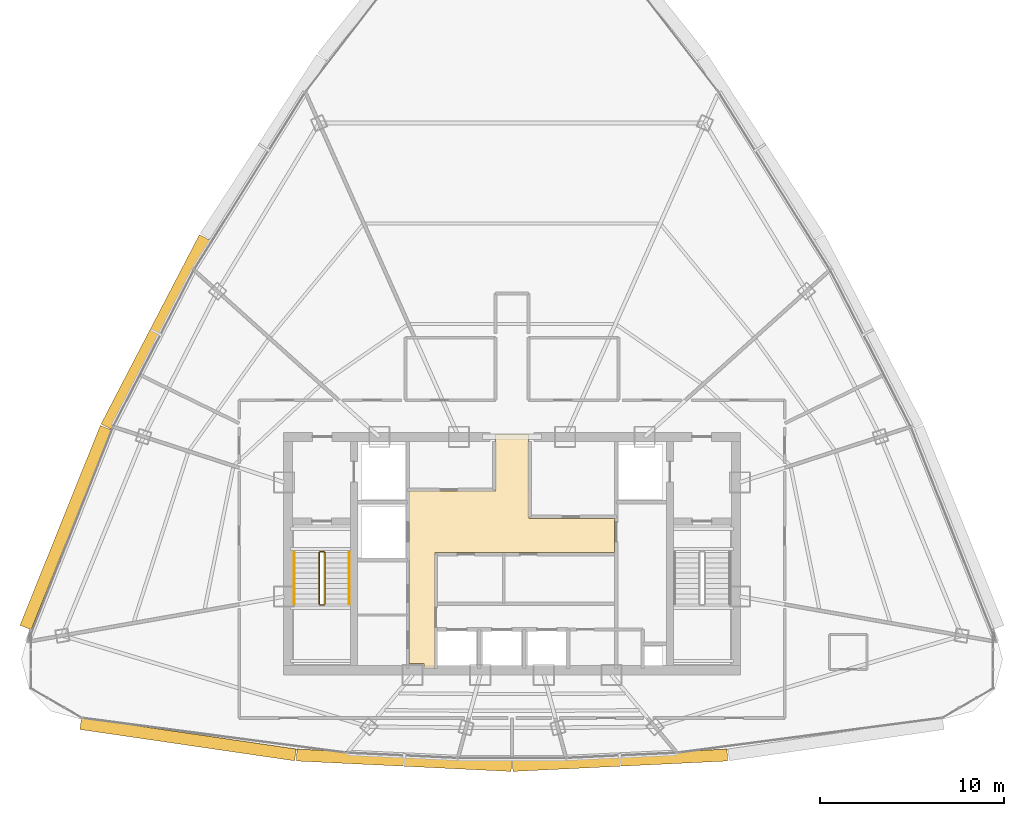
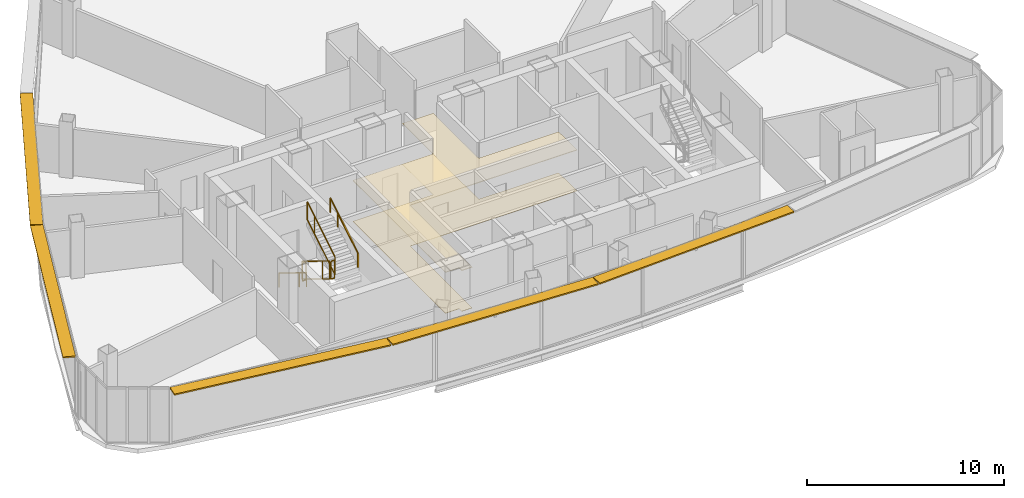
# One storey, part 27 of 29: 6 railings, 5 shading devices, 2 coverings.
"""IFC4 building model written with IfcOpenShell, lengths in metres."""

from ifc_helpers import new_model, si_unit, direction, frame, origin, origin_2d, place, context, subcontext, project, spatial, polyline, rectangle, outline, extrude, source, transform, mapped, material, layer, layer_set, type_object, element, save


model = new_model("IFC4")

# Units and contexts
model_context = context("Model", 3, precision=1e-05, world=origin(), true_north=direction((0.0, 1.0)))
body_context = subcontext(model_context, "Body", "Model", "MODEL_VIEW")
ifc_project = project(units=[si_unit("LENGTHUNIT", "METRE"), si_unit("AREAUNIT", "SQUARE_METRE"), si_unit("VOLUMEUNIT", "CUBIC_METRE"), si_unit("PLANEANGLEUNIT", "RADIAN"), si_unit("MASSUNIT", "GRAM", prefix="KILO"), si_unit("THERMODYNAMICTEMPERATUREUNIT", "KELVIN"), si_unit("POWERUNIT", "WATT")], contexts=[model_context])

# Site, building, storey
site_placement = place(None, origin())
site = spatial("IfcSite", under=ifc_project, at=site_placement, CompositionType="ELEMENT")
building_placement = place(site_placement, origin())
building = spatial("IfcBuilding", under=site, at=building_placement, Name="Yunzhuo Pagoda Commons", CompositionType="ELEMENT")
storey_placement = place(building_placement, frame((0.0, 0.0, 363.010009765625)))
storey = spatial("IfcBuildingStorey", under=building, at=storey_placement, Name="L91", CompositionType="ELEMENT", Elevation=363.010009765625)

# Coverings
ifc_material_1 = material(Name="Micro-perforated metal baffle ceiling")
ifc_layer_1 = layer(ifc_material_1, 0.034912109375)
ifc_layer_set_1 = layer_set([ifc_layer_1], Name="Micro-perforated metal baffle ceiling")
covering_type_1 = type_object("IfcCoveringType", Name="COV-CL3 Ceiling 35", PredefinedType="CEILING", material=ifc_layer_set_1)
covering_1_placement = place(storey_placement, frame((0.0, 0.0, 2.52001953125)))
element("IfcCovering", 1, at=covering_1_placement, inside=storey, type_object=covering_type_1, Name="L91 lift lobby acoustic ceiling", PredefinedType="CEILING", context=body_context, shape_type="SweptSolid", body=[
    extrude(outline(polyline([(42.39990234375, 37.25), (47.10009765625, 37.25), (47.10009765625, 40.35009765625), (48.89990234375, 40.35009765625), (48.89990234375, 37.25), (48.919921875, 37.25), (48.919921875, 35.75), (53.580078125, 35.75), (53.580078125, 33.89990234375), (43.820068359375, 33.89990234375), (43.820068359375, 27.60009765625), (43.207763671875, 27.60009765625), (43.207763671875, 27.85009765625), (43.201904296875, 27.864013671875), (43.187744140625, 27.8701171875), (42.39990234375, 27.8701171875), (42.39990234375, 33.89990234375), (42.39990234375, 37.25)])), origin(), (0.0, 0.0, 1.0), 0.034912109375),
])
ifc_material_2 = material(Name="Resilient acoustic studio flooring")
ifc_layer_2 = layer(ifc_material_2, 0.01806640625)
ifc_layer_set_2 = layer_set([ifc_layer_2], Name="Resilient acoustic studio flooring")
covering_type_2 = type_object("IfcCoveringType", Name="COV-FL3 Flooring 18", PredefinedType="FLOORING", material=ifc_layer_set_2)
covering_2_placement = place(storey_placement, origin())
element("IfcCovering", 2, at=covering_2_placement, inside=storey, type_object=covering_type_2, Name="L91 lift lobby flooring", PredefinedType="FLOORING", context=body_context, shape_type="SweptSolid", body=[
    extrude(outline(polyline([(42.39990234375, 37.25), (47.10009765625, 37.25), (47.10009765625, 40.35009765625), (48.89990234375, 40.35009765625), (48.89990234375, 37.25), (48.919921875, 37.25), (48.919921875, 35.75), (53.580078125, 35.75), (53.580078125, 33.89990234375), (43.820068359375, 33.89990234375), (43.820068359375, 27.60009765625), (43.207763671875, 27.60009765625), (43.207763671875, 27.85009765625), (43.201904296875, 27.864013671875), (43.187744140625, 27.8701171875), (42.39990234375, 27.8701171875), (42.39990234375, 33.89990234375), (42.39990234375, 37.25)])), origin(), (0.0, 0.0, 1.0), 0.01806640625),
])

# Railings
ifc_material_3 = material(Name="Anodized aluminium 6063-T6", Category="aluminium")
railing_type_1 = type_object("IfcRailingType", Name="GR-ST1 Stair Well Guardrail 1150", PredefinedType="GUARDRAIL", material=ifc_material_3)
railing_1_placement = place(storey_placement, frame((37.5, 33.89990234375, 0.17041015625)))
element("IfcRailing", 3, at=railing_1_placement, inside=storey, type_object=railing_type_1, Name="L91 ST1 stair guard 1", PredefinedType="GUARDRAIL", context=body_context, shape_type="SweptSolid", body=[
    extrude(rectangle(XDim=0.048095703125, YDim=0.048095703125, at=origin_2d()), frame((0.0, 0.0, 1.1259765625), z_axis=(0.0, -0.854149651119, 0.520027281489), x_axis=(1.0, 0.0, 0.0)), (0.0, 0.0, 1.0), 3.27783203125),
    extrude(rectangle(XDim=0.048095703125, YDim=0.048095703125, at=origin_2d()), frame((0.0, 0.0, 0.02392578125), z_axis=(0.0, -0.854149651119, 0.520027281489), x_axis=(1.0, 0.0, 0.0)), (0.0, 0.0, 1.0), 3.27783203125),
    extrude(rectangle(XDim=0.0419921875, YDim=0.0419921875, at=origin_2d()), origin(), (0.0, 0.0, 1.0), 1.101806640625),
    extrude(rectangle(XDim=0.0419921875, YDim=0.0419921875, at=origin_2d()), frame((0.0, -2.050048828125, 1.248046875)), (0.0, 0.0, 1.0), 1.101806640625),
    extrude(rectangle(XDim=0.0419921875, YDim=0.0419921875, at=origin_2d()), frame((0.0, -2.7998046875, 1.70458984375)), (0.0, 0.0, 1.0), 1.101806640625),
])
railing_2_placement = place(storey_placement, frame((37.550048828125, 31.050048828125, 1.875)))
element("IfcRailing", 4, at=railing_2_placement, inside=storey, type_object=railing_type_1, Name="L91 ST1 stair guard 2", PredefinedType="GUARDRAIL", context=body_context, shape_type="SweptSolid", body=[
    extrude(rectangle(XDim=0.048095703125, YDim=0.048095703125, at=origin_2d()), frame((0.0, 0.0, 1.1259765625), z_axis=(1.0, 0.0, 0.0), x_axis=(0.0, 1.0, 0.0)), (0.0, 0.0, 1.0), 0.199951171875),
    extrude(rectangle(XDim=0.048095703125, YDim=0.048095703125, at=origin_2d()), frame((0.0, 0.0, 0.02392578125), z_axis=(1.0, 0.0, 0.0), x_axis=(0.0, 1.0, 0.0)), (0.0, 0.0, 1.0), 0.199951171875),
    extrude(rectangle(XDim=0.0419921875, YDim=0.0419921875, at=origin_2d()), origin(), (0.0, 0.0, 1.0), 1.101806640625),
    extrude(rectangle(XDim=0.0419921875, YDim=0.0419921875, at=origin_2d()), frame((0.199951171875, 0.0, 0.0)), (0.0, 0.0, 1.0), 1.101806640625),
])
railing_3_placement = place(storey_placement, frame((37.800048828125, 31.10009765625, 2.04541015625)))
element("IfcRailing", 5, at=railing_3_placement, inside=storey, type_object=railing_type_1, Name="L91 ST1 stair guard 3", PredefinedType="GUARDRAIL", context=body_context, shape_type="SweptSolid", body=[
    extrude(rectangle(XDim=0.048095703125, YDim=0.048095703125, at=origin_2d()), frame((0.0, 0.0, 1.1259765625), z_axis=(0.0, 0.854149651119, 0.520027281489), x_axis=(-1.0, 0.0, 0.0)), (0.0, 0.0, 1.0), 3.27783203125),
    extrude(rectangle(XDim=0.048095703125, YDim=0.048095703125, at=origin_2d()), frame((0.0, 0.0, 0.02392578125), z_axis=(0.0, 0.854149651119, 0.520027281489), x_axis=(-1.0, 0.0, 0.0)), (0.0, 0.0, 1.0), 3.27783203125),
    extrude(rectangle(XDim=0.0419921875, YDim=0.0419921875, at=origin_2d()), origin(), (0.0, 0.0, 1.0), 1.101806640625),
    extrude(rectangle(XDim=0.0419921875, YDim=0.0419921875, at=origin_2d()), frame((0.0, 2.050048828125, 1.248046875)), (0.0, 0.0, 1.0), 1.101806640625),
    extrude(rectangle(XDim=0.0419921875, YDim=0.0419921875, at=origin_2d()), frame((0.0, 2.7998046875, 1.70458984375)), (0.0, 0.0, 1.0), 1.101806640625),
])
railing_4_placement = place(storey_placement, frame((37.550048828125, 33.949951171875, 0.0)))
element("IfcRailing", 6, at=railing_4_placement, inside=storey, type_object=railing_type_1, Name="L91 ST1 stair guard 4", PredefinedType="GUARDRAIL", context=body_context, shape_type="SweptSolid", body=[
    extrude(rectangle(XDim=0.048095703125, YDim=0.048095703125, at=origin_2d()), frame((0.0, 0.0, 1.1259765625), z_axis=(1.0, 0.0, 0.0), x_axis=(0.0, 1.0, 0.0)), (0.0, 0.0, 1.0), 0.199951171875),
    extrude(rectangle(XDim=0.048095703125, YDim=0.048095703125, at=origin_2d()), frame((0.0, 0.0, 0.02392578125), z_axis=(1.0, 0.0, 0.0), x_axis=(0.0, 1.0, 0.0)), (0.0, 0.0, 1.0), 0.199951171875),
    extrude(rectangle(XDim=0.0419921875, YDim=0.0419921875, at=origin_2d()), origin(), (0.0, 0.0, 1.0), 1.101806640625),
    extrude(rectangle(XDim=0.0419921875, YDim=0.0419921875, at=origin_2d()), frame((0.199951171875, 0.0, 0.0)), (0.0, 0.0, 1.0), 1.101806640625),
])
railing_type_2 = type_object("IfcRailingType", Name="HR-ST1 Stair Handrail 900", PredefinedType="HANDRAIL", material=ifc_material_3)
railing_5_placement = place(storey_placement, frame((36.14990234375, 33.89990234375, 0.17041015625)))
element("IfcRailing", 7, at=railing_5_placement, inside=storey, type_object=railing_type_2, Name="L91 ST1 stair handrail 1", PredefinedType="HANDRAIL", context=body_context, shape_type="SweptSolid", body=[
    extrude(rectangle(XDim=0.048095703125, YDim=0.048095703125, at=origin_2d()), frame((0.0, 0.0, 0.8759765625), z_axis=(0.0, -0.854149651119, 0.520027281489), x_axis=(1.0, 0.0, 0.0)), (0.0, 0.0, 1.0), 3.27783203125),
    extrude(rectangle(XDim=0.0419921875, YDim=0.0419921875, at=origin_2d()), origin(), (0.0, 0.0, 1.0), 0.851806640625),
    extrude(rectangle(XDim=0.0419921875, YDim=0.0419921875, at=origin_2d()), frame((0.0, -2.050048828125, 1.248046875)), (0.0, 0.0, 1.0), 0.851806640625),
    extrude(rectangle(XDim=0.0419921875, YDim=0.0419921875, at=origin_2d()), frame((0.0, -2.7998046875, 1.70458984375)), (0.0, 0.0, 1.0), 0.851806640625),
])
railing_6_placement = place(storey_placement, frame((39.14990234375, 31.10009765625, 2.04541015625)))
element("IfcRailing", 8, at=railing_6_placement, inside=storey, type_object=railing_type_2, Name="L91 ST1 stair handrail 2", PredefinedType="HANDRAIL", context=body_context, shape_type="SweptSolid", body=[
    extrude(rectangle(XDim=0.048095703125, YDim=0.048095703125, at=origin_2d()), frame((0.0, 0.0, 0.8759765625), z_axis=(0.0, 0.854149651119, 0.520027281489), x_axis=(-1.0, 0.0, 0.0)), (0.0, 0.0, 1.0), 3.27783203125),
    extrude(rectangle(XDim=0.0419921875, YDim=0.0419921875, at=origin_2d()), origin(), (0.0, 0.0, 1.0), 0.851806640625),
    extrude(rectangle(XDim=0.0419921875, YDim=0.0419921875, at=origin_2d()), frame((0.0, 2.050048828125, 1.248046875)), (0.0, 0.0, 1.0), 0.851806640625),
    extrude(rectangle(XDim=0.0419921875, YDim=0.0419921875, at=origin_2d()), frame((0.0, 2.7998046875, 1.70458984375)), (0.0, 0.0, 1.0), 0.851806640625),
])

# Shading devices
ifc_layer_3 = layer(ifc_material_3, 0.080078125)
ifc_layer_set_3 = layer_set([ifc_layer_3], Name="Anodized aluminium 6063-T6")
shading_device_type = type_object("IfcShadingDeviceType", Name="SH-SUN1 Pagoda Horizontal Sunshade Eave 650", PredefinedType="USERDEFINED", material=ifc_layer_set_3)
shared_shape_1 = source(origin(), body_context, "Body", "SweptSolid", [
    extrude(rectangle(XDim=11.814208984375, YDim=0.64990234375, at=origin_2d()), origin(), (0.0, 0.0, 1.0), 0.080078125),
])
shading_device_1_placement = place(storey_placement, frame((30.37060546875, 23.743896484375, 3.389892578125), z_axis=(0.0, 0.0, 1.0), x_axis=(0.989510666697, -0.144459823108, 0.0)))
element("IfcShadingDevice", 9, at=shading_device_1_placement, inside=storey, type_object=shading_device_type, Name="L91 horizontal pagoda sunshade eave F1.1", ObjectType="SUNSHADE", PredefinedType="USERDEFINED", context=body_context, shape_type="MappedRepresentation", body=[
    mapped(shared_shape_1, transform((0.0, 0.0, 0.0), scale=1.0)),
])
shared_shape_2 = source(origin(), body_context, "Body", "SweptSolid", [
    extrude(rectangle(XDim=11.70361328125, YDim=0.64990234375, at=origin_2d()), origin(), (0.0, 0.0, 1.0), 0.080078125),
])
for number, where, z_axis, x_axis, name in (
    (10, (42.12353515625, 22.60009765625, 3.389892578125), (0.0, 0.0, 1.0), (0.998818043775, -0.04860571396, 0.0), "L91 horizontal pagoda sunshade eave F1.2"),
    (11, (53.876708984375, 22.60009765625, 3.389892578125), (0.0, 0.0, 1.0), (0.998818043775, 0.04860571396, 0.0), "L91 horizontal pagoda sunshade eave F1.3"),
):
    element("IfcShadingDevice", number, at=place(storey_placement, frame(where, z_axis=z_axis, x_axis=x_axis)), inside=storey, type_object=shading_device_type, Name=name, ObjectType="SUNSHADE", PredefinedType="USERDEFINED", context=body_context, shape_type="MappedRepresentation", body=[
        mapped(shared_shape_2, transform((0.0, 0.0, 0.0), scale=1.0)),
    ])
shared_shape_3 = source(origin(), body_context, "Body", "SweptSolid", [
    extrude(rectangle(XDim=11.718994140625, YDim=0.64990234375, at=origin_2d()), origin(), (0.0, 0.0, 1.0), 0.080078125),
])
shading_device_2_placement = place(storey_placement, frame((23.708740234375, 35.262451171875, 3.389892578125), z_axis=(0.0, 0.0, 1.0), x_axis=(-0.372987782576, -0.927836253899, 0.0)))
element("IfcShadingDevice", 12, at=shading_device_2_placement, inside=storey, type_object=shading_device_type, Name="L91 horizontal pagoda sunshade eave F3.4", ObjectType="SUNSHADE", PredefinedType="USERDEFINED", context=body_context, shape_type="MappedRepresentation", body=[
    mapped(shared_shape_3, transform((0.0, 0.0, 0.0), scale=1.0)),
])
shared_shape_4 = source(origin(), body_context, "Body", "SweptSolid", [
    extrude(rectangle(XDim=11.607666015625, YDim=0.64990234375, at=origin_2d()), origin(), (0.0, 0.0, 1.0), 0.080078125),
])
shading_device_3_placement = place(storey_placement, frame((28.597412109375, 45.90625, 3.389892578125), z_axis=(0.0, 0.0, 1.0), x_axis=(-0.461206683033, -0.88729273384, 0.0)))
element("IfcShadingDevice", 13, at=shading_device_3_placement, inside=storey, type_object=shading_device_type, Name="L91 horizontal pagoda sunshade eave F3.3", ObjectType="SUNSHADE", PredefinedType="USERDEFINED", context=body_context, shape_type="MappedRepresentation", body=[
    mapped(shared_shape_4, transform((0.0, 0.0, 0.0), scale=1.0)),
])

save(model, "model.ifc")
